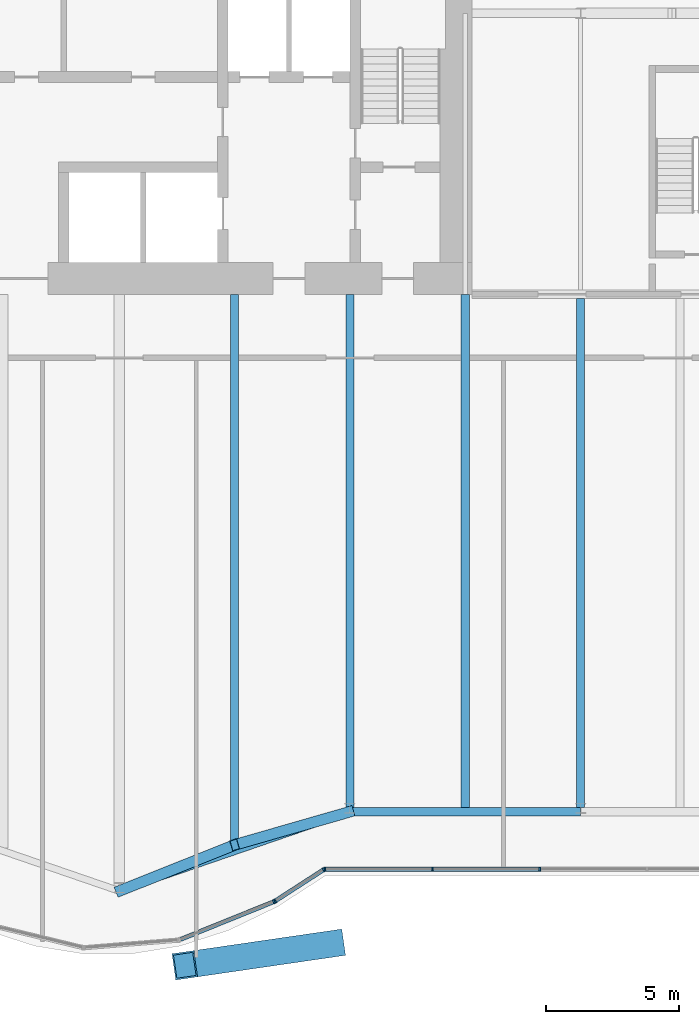
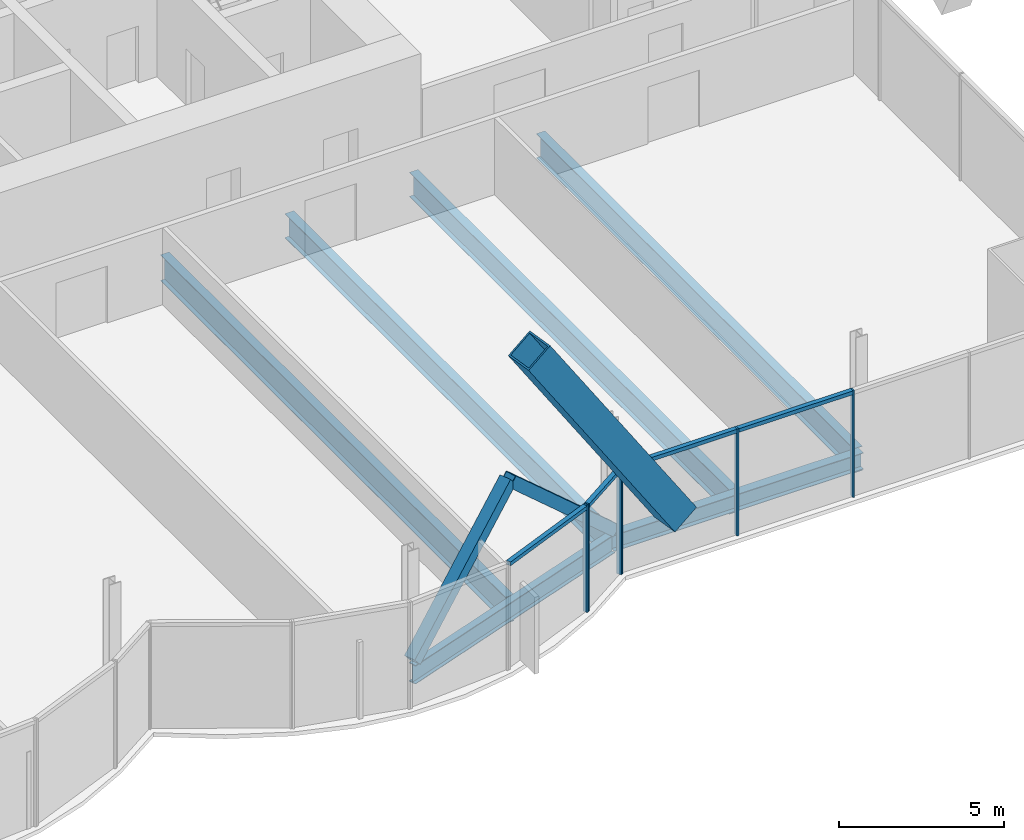
# One storey, part 10 of 24: 13 members, 6 beams, 2 elements without a shape of their own.
"""IFC4 building model written with IfcOpenShell, lengths in metres."""

import ifcopenshell
import ifcopenshell.guid

model = None  # the IFC model being written
_history = None  # IfcOwnerHistory: only IFC2X3 demands one
_inside = {}  # id of a spatial element -> (the spatial element, [elements in it])
_under = {}  # id of a project, library or spatial element -> (it, [spatial elements below it])
_declared = {}  # id of a project -> (the project, [libraries it declares])
_typed = {}  # id of a type object -> (the type object, [elements of that type])
_made_of = {}  # id of a material, layer set ... -> (it, [elements and type objects made of it])


def new_model(schema):
    """Start an empty IFC model of exactly this schema.

    Asked for "IFC4X3", IfcOpenShell would pick the latest addendum, in which some entities
    have other attributes; the version numbers below select the first issue.
    IFC2X3 requires an IfcOwnerHistory on every rooted entity: one is made here for all.
    """
    global model, _history
    if schema == "IFC4X3":
        model = ifcopenshell.file(schema_version=(4, 3, 0, 0))
    else:
        model = ifcopenshell.file(schema=schema)
    _inside.clear()
    _under.clear()
    _declared.clear()
    _typed.clear()
    _made_of.clear()
    _history = None
    if model.schema == "IFC2X3":
        org = make("IfcOrganization", Name="unknown")
        user = make(
            "IfcPersonAndOrganization",
            ThePerson=make("IfcPerson", FamilyName="unknown"),
            TheOrganization=org,
        )
        app = make(
            "IfcApplication",
            ApplicationDeveloper=org,
            Version="unknown",
            ApplicationFullName="unknown",
            ApplicationIdentifier="unknown",
        )
        _history = make(
            "IfcOwnerHistory",
            OwningUser=user,
            OwningApplication=app,
            ChangeAction="ADDED",
            CreationDate=0,
        )
    return model


def make(cls, **values):
    """One entity of the class cls with the attributes given. An attribute that is None is left unset."""
    return model.create_entity(
        cls, **{name: value for name, value in values.items() if value is not None}
    )


def rooted(cls, **values):
    """An entity with a GlobalId (a new one), such as an element, a storey or a relation."""
    return make(cls, GlobalId=ifcopenshell.guid.new(), OwnerHistory=_history, **values)


def si_unit(unit_type, name, prefix=None):
    """IfcSIUnit, for example si_unit("LENGTHUNIT", "METRE", prefix="MILLI")."""
    return make("IfcSIUnit", UnitType=unit_type, Prefix=prefix, Name=name)


def assignment(units):
    """IfcUnitAssignment: the units of a project."""
    return None if units is None else make("IfcUnitAssignment", Units=units)


def point(xyz):
    """IfcCartesianPoint."""
    return None if xyz is None else make("IfcCartesianPoint", Coordinates=xyz)


def direction(xyz):
    """IfcDirection."""
    return None if xyz is None else make("IfcDirection", DirectionRatios=xyz)


def frame(location, z_axis=None, x_axis=None):
    """IfcAxis2Placement3D, a coordinate frame: its origin and axes. An axis left out is left unset."""
    return make(
        "IfcAxis2Placement3D",
        Location=point(location),
        Axis=direction(z_axis),
        RefDirection=direction(x_axis),
    )


def frame_2d(location, x_axis=None):
    """IfcAxis2Placement2D, a coordinate frame in the plane: its origin and x axis."""
    return make(
        "IfcAxis2Placement2D", Location=point(location), RefDirection=direction(x_axis)
    )


def origin():
    """The frame at (0, 0, 0) with its axes left unset."""
    return frame((0.0, 0.0, 0.0))


def origin_2d():
    """The frame at (0, 0) in the plane with its x axis left unset."""
    return frame_2d((0.0, 0.0))


def place(relative_to, where):
    """IfcLocalPlacement: puts the frame where relative to a parent placement (None: the world)."""
    return make(
        "IfcLocalPlacement", PlacementRelTo=relative_to, RelativePlacement=where
    )


def context(
    kind, dimensions, precision=None, world=None, true_north=None, identifier=None
):
    """IfcGeometricRepresentationContext, for example the 3D "Model" context."""
    return make(
        "IfcGeometricRepresentationContext",
        ContextIdentifier=identifier,
        ContextType=kind,
        CoordinateSpaceDimension=dimensions,
        Precision=precision,
        WorldCoordinateSystem=world,
        TrueNorth=true_north,
    )


def subcontext(parent, identifier, kind, view, scale=None):
    """IfcGeometricRepresentationSubContext, for example "Body" below "Model"."""
    return make(
        "IfcGeometricRepresentationSubContext",
        ContextIdentifier=identifier,
        ContextType=kind,
        ParentContext=parent,
        TargetScale=scale,
        TargetView=view,
    )


def project(units=None, contexts=None):
    """IfcProject with its units and contexts."""
    return rooted(
        "IfcProject",
        Name="project",
        RepresentationContexts=contexts,
        UnitsInContext=assignment(units),
    )


def spatial(cls, under=None, at=None, **own):
    """A site, building, storey or space (cls), placed at a placement, below another one or the project."""
    s = rooted(cls, ObjectPlacement=at, **own)
    if under is not None:
        _under.setdefault(under.id(), (under, []))[1].append(s)
    return s


def profile(cls, at=None, kind="AREA", **sizes):
    """A parametric profile (cls). Its sizes go by their IFC names, for example OverallWidth=200.0."""
    return make(cls, ProfileType=kind, Position=at, **sizes)


def rectangle(**sizes):
    """IfcRectangleProfileDef."""
    return profile("IfcRectangleProfileDef", **sizes)


def hollow_rectangle(**sizes):
    """IfcRectangleHollowProfileDef."""
    return profile("IfcRectangleHollowProfileDef", **sizes)


def i_section(**sizes):
    """IfcIShapeProfileDef."""
    return profile("IfcIShapeProfileDef", **sizes)


def extrude(swept, where, along, depth):
    """IfcExtrudedAreaSolid: the profile swept, set in the frame where, extruded along a direction by depth."""
    return make(
        "IfcExtrudedAreaSolid",
        SweptArea=swept,
        Position=where,
        ExtrudedDirection=direction(along),
        Depth=depth,
    )


def shape(context_of_items, identifier, shape_type, items):
    """IfcShapeRepresentation: the items that make up one representation, for example the "Body"."""
    return make(
        "IfcShapeRepresentation",
        ContextOfItems=context_of_items,
        RepresentationIdentifier=identifier,
        RepresentationType=shape_type,
        Items=items,
    )


def material(Name=None, Category=None):
    """IfcMaterial."""
    return make("IfcMaterial", Name=Name, Category=Category)


def material_profile(
    of_material, cross_section, Name=None, Category=None, Priority=None
):
    """IfcMaterialProfile: a cross section and its material."""
    return make(
        "IfcMaterialProfile",
        Name=Name,
        Material=of_material,
        Profile=cross_section,
        Priority=Priority,
        Category=Category,
    )


def profile_set(profiles, Name=None, composite=None):
    """IfcMaterialProfileSet."""
    return make(
        "IfcMaterialProfileSet",
        Name=Name,
        MaterialProfiles=profiles,
        CompositeProfile=composite,
    )


def made_of(thing, what):
    """Note that an element or type object is made of a material, layer set ...; save() writes the relation."""
    if what is not None:
        _made_of.setdefault(what.id(), (what, []))[1].append(thing)
    return thing


def type_object(cls, material=None, **own):
    """A type object (cls), such as IfcWallType, which elements share."""
    return made_of(rooted(cls, **own), material)


def element(
    cls,
    number,
    at=None,
    inside=None,
    cuts=None,
    type_object=None,
    material=None,
    context=None,
    identifier="Body",
    shape_type=None,
    held_by="IfcProductDefinitionShape",
    body=None,
    shapes=None,
    **own,
):
    """One element of the class cls, such as IfcWall. Its Tag is "e" and its number.

    at: its placement. inside: the storey or other place that contains it. cuts: it is an
    opening in that element (IfcRelVoidsElement). A single representation is given by context,
    identifier, shape_type and body (its items); several are given by shapes. held_by: the class
    of the entity that holds the representations. save() writes the other relations.
    """
    e = rooted(cls, Tag="e%d" % number, ObjectPlacement=at, **own)
    if body is not None:
        shapes = [shape(context, identifier, shape_type, body)]
    if shapes is not None:
        e.Representation = make(held_by, Representations=shapes)
    if inside is not None:
        _inside.setdefault(inside.id(), (inside, []))[1].append(e)
    if cuts is not None:
        rooted(
            "IfcRelVoidsElement", RelatingBuildingElement=cuts, RelatedOpeningElement=e
        )
    if type_object is not None:
        _typed.setdefault(type_object.id(), (type_object, []))[1].append(e)
    return made_of(e, material)


def aggregate(whole, parts):
    """IfcRelAggregates: a whole, such as a stair, and the parts it consists of."""
    return rooted("IfcRelAggregates", RelatingObject=whole, RelatedObjects=parts)


def save(model, path):
    """Write the relations noted so far, then the file.

    IfcRelAggregates (storeys below a building ...), IfcRelContainedInSpatialStructure (elements
    in a storey), IfcRelDefinesByType, IfcRelAssociatesMaterial and IfcRelDeclares: one each for
    every whole, place, type object, material and project.
    """
    for whole, parts in _under.values():
        aggregate(whole, parts)
    for where, things in _inside.values():
        rooted(
            "IfcRelContainedInSpatialStructure",
            RelatedElements=things,
            RelatingStructure=where,
        )
    for kind, things in _typed.values():
        rooted("IfcRelDefinesByType", RelatedObjects=things, RelatingType=kind)
    for what, things in _made_of.values():
        rooted("IfcRelAssociatesMaterial", RelatedObjects=things, RelatingMaterial=what)
    for by, libraries in _declared.values():
        rooted("IfcRelDeclares", RelatingContext=by, RelatedDefinitions=libraries)
    model.write(path)


model = new_model("IFC4")

# Units and contexts
model_context = context("Model", 3, precision=1e-05, world=origin(), true_north=direction((0.0, 1.0)))
body_context = subcontext(model_context, "Body", "Model", "MODEL_VIEW")
ifc_project = project(units=[si_unit("LENGTHUNIT", "METRE"), si_unit("AREAUNIT", "SQUARE_METRE"), si_unit("VOLUMEUNIT", "CUBIC_METRE"), si_unit("PLANEANGLEUNIT", "RADIAN"), si_unit("MASSUNIT", "GRAM", prefix="KILO")], contexts=[model_context])

# Site, building, storey
site_placement = place(None, origin())
site = spatial("IfcSite", under=ifc_project, at=site_placement, CompositionType="ELEMENT")
building_placement = place(site_placement, origin())
building = spatial("IfcBuilding", under=site, at=building_placement, Name="Bicima Exchange Tower", CompositionType="ELEMENT")
storey_placement = place(building_placement, frame((0.0, 0.0, 160.89990234375)))
storey = spatial("IfcBuildingStorey", under=building, at=storey_placement, Name="L35", CompositionType="ELEMENT", Elevation=160.89990234375)

# Member
ifc_material_1 = material(Name="Steel ASTM A572 Gr 50", Category="steel")
ifc_material_profile_1 = material_profile(ifc_material_1, hollow_rectangle(XDim=1.0, YDim=1.0, WallThickness=0.06005859375, at=origin_2d()))
ifc_profile_set_1 = profile_set([ifc_material_profile_1], Name="Steel ASTM A572 Gr 50")
member_type_1 = type_object("IfcMemberType", Name="Exo mega brace BOX 1000x1000x60", PredefinedType="BRACE", material=ifc_profile_set_1)
member_1_placement = place(storey_placement, frame((16.75, -37.50732421875, 3.85009765625), z_axis=(-0.551008668038, -0.080112983568, 0.83064514542), x_axis=(0.143880519348, -0.989595066758, 0.0)))
element("IfcMember", 1, at=member_1_placement, inside=storey, type_object=member_type_1, Name="Exo mega brace front", PredefinedType="BRACE", context=body_context, shape_type="SweptSolid", body=[
    extrude(hollow_rectangle(XDim=1.0, YDim=1.0, WallThickness=0.06005859375, at=origin_2d()), origin(), (0.0, 0.0, 1.0), 10.1328125),
])

# Beams
ifc_material_2 = material(Name="Steel ASTM A992 Gr 50", Category="steel")
ifc_material_profile_2 = material_profile(ifc_material_2, i_section(OverallWidth=0.3046875, OverallDepth=0.904296875, WebThickness=0.01513671875, FlangeThickness=0.02001953125, at=origin_2d()))
ifc_profile_set_2 = profile_set([ifc_material_profile_2], Name="Steel ASTM A992 Gr 50")
beam_type_1 = type_object("IfcBeamType", Name="Floor beam W36x135", PredefinedType="JOIST", material=ifc_profile_set_2)
beam_1_placement = place(storey_placement, frame((17.39990234375, -13.0, -0.60205078125), z_axis=(0.0, -1.0, 0.0), x_axis=(1.0, 0.0, 0.0)))
element("IfcBeam", 2, at=beam_1_placement, inside=storey, type_object=beam_type_1, Name="Floor beam", PredefinedType="JOIST", context=body_context, shape_type="SweptSolid", body=[
    extrude(i_section(OverallWidth=0.3046875, OverallDepth=0.904296875, WebThickness=0.01513671875, FlangeThickness=0.02001953125, at=origin_2d()), origin(), (0.0, 0.0, 1.0), 19.388427734375),
])
beam_2_placement = place(storey_placement, frame((21.75, -13.0, -0.60205078125), z_axis=(0.0, -1.0, 0.0), x_axis=(1.0, 0.0, 0.0)))
element("IfcBeam", 3, at=beam_2_placement, inside=storey, type_object=beam_type_1, Name="Floor beam", PredefinedType="JOIST", context=body_context, shape_type="SweptSolid", body=[
    extrude(i_section(OverallWidth=0.3046875, OverallDepth=0.904296875, WebThickness=0.01513671875, FlangeThickness=0.02001953125, at=origin_2d()), origin(), (0.0, 0.0, 1.0), 19.361328125),
])
beam_3_placement = place(storey_placement, frame((26.10009765625, -13.15234375, -0.60205078125), z_axis=(0.0, -1.0, 0.0), x_axis=(1.0, 0.0, 0.0)))
element("IfcBeam", 4, at=beam_3_placement, inside=storey, type_object=beam_type_1, Name="Floor beam", PredefinedType="JOIST", context=body_context, shape_type="SweptSolid", body=[
    extrude(i_section(OverallWidth=0.3046875, OverallDepth=0.904296875, WebThickness=0.01513671875, FlangeThickness=0.02001953125, at=origin_2d()), origin(), (0.0, 0.0, 1.0), 19.208984375),
])
ifc_material_profile_3 = material_profile(ifc_material_2, i_section(OverallWidth=0.2998046875, OverallDepth=0.97021484375, WebThickness=0.01611328125, FlangeThickness=0.02099609375, at=origin_2d()))
ifc_profile_set_3 = profile_set([ifc_material_profile_3], Name="Steel ASTM A992 Gr 50")
beam_type_2 = type_object("IfcBeamType", Name="Floor beam W40x149", PredefinedType="JOIST", material=ifc_profile_set_3)
beam_4_placement = place(storey_placement, frame((13.050048828125, -13.0, -0.635009765625), z_axis=(0.0, -1.0, 0.0), x_axis=(1.0, 0.0, 0.0)))
element("IfcBeam", 5, at=beam_4_placement, inside=storey, type_object=beam_type_2, Name="Floor beam", PredefinedType="JOIST", context=body_context, shape_type="SweptSolid", body=[
    extrude(i_section(OverallWidth=0.2998046875, OverallDepth=0.97021484375, WebThickness=0.01611328125, FlangeThickness=0.02099609375, at=origin_2d()), origin(), (0.0, 0.0, 1.0), 20.8837890625),
])
ifc_material_profile_4 = material_profile(ifc_material_2, i_section(OverallWidth=0.3251953125, OverallDepth=0.612060546875, WebThickness=0.0126953125, FlangeThickness=0.01904296875, at=origin_2d()))
ifc_profile_set_4 = profile_set([ifc_material_profile_4], Name="Steel ASTM A992 Gr 50")
beam_type_3 = type_object("IfcBeamType", Name="Front girder W24x104", PredefinedType="BEAM", material=ifc_profile_set_4)
beam_5_placement = place(storey_placement, frame((17.39990234375, -32.52392578125, -0.4560546875), z_axis=(1.0, 0.0, 0.0), x_axis=(0.0, 1.0, 0.0)))
element("IfcBeam", 6, at=beam_5_placement, inside=storey, type_object=beam_type_3, Name="Front girder", PredefinedType="BEAM", context=body_context, shape_type="SweptSolid", body=[
    extrude(i_section(OverallWidth=0.3251953125, OverallDepth=0.612060546875, WebThickness=0.0126953125, FlangeThickness=0.01904296875, at=origin_2d()), origin(), (0.0, 0.0, 1.0), 8.7001953125),
])
ifc_material_profile_5 = material_profile(ifc_material_2, i_section(OverallWidth=0.256591796875, OverallDepth=0.693359375, WebThickness=0.014404296875, FlangeThickness=0.023681640625, at=origin_2d()))
ifc_profile_set_5 = profile_set([ifc_material_profile_5], Name="Steel ASTM A992 Gr 50")
beam_type_4 = type_object("IfcBeamType", Name="Front girder W27x114", PredefinedType="BEAM", material=ifc_profile_set_5)
beam_6_placement = place(storey_placement, frame((8.699951171875, -35.51513671875, -0.49658203125), z_axis=(0.945666456746, 0.325138359143, 0.0), x_axis=(-0.325138359143, 0.945666456746, 0.0)))
element("IfcBeam", 7, at=beam_6_placement, inside=storey, type_object=beam_type_4, Name="Front girder", PredefinedType="BEAM", context=body_context, shape_type="SweptSolid", body=[
    extrude(i_section(OverallWidth=0.256591796875, OverallDepth=0.693359375, WebThickness=0.014404296875, FlangeThickness=0.023681640625, at=origin_2d()), origin(), (0.0, 0.0, 1.0), 9.19970703125),
])

# Curtain wall, members
ifc_material_3 = material(Name="Anodised bronze aluminium", Category="aluminium")
curtain_wall_type = type_object("IfcCurtainWallType", Name="Front glass wall", PredefinedType="NOTDEFINED", material=ifc_material_3)
curtain_wall_1_placement = place(storey_placement, origin())
curtain_wall_1 = element("IfcCurtainWall", 8, at=curtain_wall_1_placement, inside=storey, type_object=curtain_wall_type, Name="Front glass wall L35 run 11", PredefinedType="NOTDEFINED")
ifc_material_profile_6 = material_profile(ifc_material_3, rectangle(XDim=0.159912109375, YDim=0.06005859375, at=origin_2d()))
ifc_profile_set_6 = profile_set([ifc_material_profile_6], Name="Anodised bronze aluminium")
member_type_2 = type_object("IfcMemberType", Name="Front glass wall mullion 60 x 160", PredefinedType="MULLION", material=ifc_profile_set_6)
member_2_placement = place(storey_placement, frame((14.52587890625, -35.919677734375, 0.0), z_axis=(0.0, 0.0, 1.0), x_axis=(-0.374705304, 0.92714396679, 0.0)))
member_2 = element("IfcMember", 9, at=member_2_placement, type_object=member_type_2, Name="Front glass wall mullion 2", PredefinedType="MULLION", context=body_context, shape_type="SweptSolid", body=[
    extrude(rectangle(XDim=0.159912109375, YDim=0.06005859375, at=origin_2d()), origin(), (0.0, 0.0, 1.0), 3.9501953125),
])
member_3_placement = place(storey_placement, frame((14.578857421875, -35.89208984375, 0.0), z_axis=(0.0, 0.0, 1.0), x_axis=(-0.542909183079, 0.839791413941, 0.0)))
member_3 = element("IfcMember", 10, at=member_3_placement, type_object=member_type_2, Name="Front glass wall mullion 1", PredefinedType="MULLION", context=body_context, shape_type="SweptSolid", body=[
    extrude(rectangle(XDim=0.159912109375, YDim=0.06005859375, at=origin_2d()), origin(), (0.0, 0.0, 1.0), 3.9501953125),
])
member_4_placement = place(storey_placement, frame((16.406982421875, -34.710205078125, 0.0), z_axis=(0.0, 0.0, 1.0), x_axis=(-0.542909183079, 0.839791413941, 0.0)))
member_4 = element("IfcMember", 11, at=member_4_placement, type_object=member_type_2, Name="Front glass wall mullion 2", PredefinedType="MULLION", context=body_context, shape_type="SweptSolid", body=[
    extrude(rectangle(XDim=0.159912109375, YDim=0.06005859375, at=origin_2d()), origin(), (0.0, 0.0, 1.0), 3.9501953125),
])

curtain_wall_2_placement = place(storey_placement, origin())
curtain_wall_2 = element("IfcCurtainWall", 12, at=curtain_wall_2_placement, inside=storey, type_object=curtain_wall_type, Name="Front glass wall L35 run 16", PredefinedType="NOTDEFINED")
member_5_placement = place(storey_placement, frame((16.462158203125, -34.694091796875, 0.0), z_axis=(0.0, 0.0, 1.0), x_axis=(0.0, 1.0, 0.0)))
member_5 = element("IfcMember", 13, at=member_5_placement, type_object=member_type_2, Name="Front glass wall mullion 1", PredefinedType="MULLION", context=body_context, shape_type="SweptSolid", body=[
    extrude(rectangle(XDim=0.159912109375, YDim=0.06005859375, at=origin_2d()), origin(), (0.0, 0.0, 1.0), 3.9501953125),
])
member_6_placement = place(storey_placement, frame((20.51171875, -34.694091796875, 0.0), z_axis=(0.0, 0.0, 1.0), x_axis=(0.0, 1.0, 0.0)))
member_6 = element("IfcMember", 14, at=member_6_placement, type_object=member_type_2, Name="Front glass wall mullion 2", PredefinedType="MULLION", context=body_context, shape_type="SweptSolid", body=[
    extrude(rectangle(XDim=0.159912109375, YDim=0.06005859375, at=origin_2d()), origin(), (0.0, 0.0, 1.0), 3.9501953125),
])
member_7_placement = place(storey_placement, frame((24.56103515625, -34.694091796875, 0.0), z_axis=(0.0, 0.0, 1.0), x_axis=(0.0, 1.0, 0.0)))
member_7 = element("IfcMember", 15, at=member_7_placement, type_object=member_type_2, Name="Front glass wall mullion 3", PredefinedType="MULLION", context=body_context, shape_type="SweptSolid", body=[
    extrude(rectangle(XDim=0.159912109375, YDim=0.06005859375, at=origin_2d()), origin(), (0.0, 0.0, 1.0), 3.9501953125),
])

# Member
ifc_material_profile_7 = material_profile(ifc_material_3, rectangle(XDim=0.159912109375, YDim=0.139892578125, at=origin_2d()))
ifc_profile_set_7 = profile_set([ifc_material_profile_7], Name="Anodised bronze aluminium")
member_type_3 = type_object("IfcMemberType", Name="Front glass wall transom 140 x 160", PredefinedType="USERDEFINED", material=ifc_profile_set_7)
member_8_placement = place(storey_placement, frame((11.001708984375, -37.343994140625, 3.880126953125), z_axis=(0.927140215882, 0.374714584842, 0.0), x_axis=(-0.374714584842, 0.927140215882, 0.0)))
member_8 = element("IfcMember", 16, at=member_8_placement, type_object=member_type_3, Name="Front glass wall transom 1.1", ObjectType="TRANSOM", PredefinedType="USERDEFINED", context=body_context, shape_type="SweptSolid", body=[
    extrude(rectangle(XDim=0.159912109375, YDim=0.139892578125, at=origin_2d()), origin(), (0.0, 0.0, 1.0), 3.77099609375),
])

member_9_placement = place(storey_placement, frame((14.60400390625, -35.875732421875, 3.880126953125), z_axis=(0.839792890287, 0.542906899407, 0.0), x_axis=(-0.542906899407, 0.839792890287, 0.0)))
member_9 = element("IfcMember", 17, at=member_9_placement, type_object=member_type_3, Name="Front glass wall transom 1.1", ObjectType="TRANSOM", PredefinedType="USERDEFINED", context=body_context, shape_type="SweptSolid", body=[
    extrude(rectangle(XDim=0.159912109375, YDim=0.139892578125, at=origin_2d()), origin(), (0.0, 0.0, 1.0), 2.11669921875),
])

aggregate(curtain_wall_1, [member_2, member_8, member_3, member_4, member_9])

member_10_placement = place(storey_placement, frame((16.4921875, -34.694091796875, 3.880126953125), z_axis=(1.0, 0.0, 0.0), x_axis=(0.0, 1.0, 0.0)))
member_10 = element("IfcMember", 18, at=member_10_placement, type_object=member_type_3, Name="Front glass wall transom 1.1", ObjectType="TRANSOM", PredefinedType="USERDEFINED", context=body_context, shape_type="SweptSolid", body=[
    extrude(rectangle(XDim=0.159912109375, YDim=0.139892578125, at=origin_2d()), origin(), (0.0, 0.0, 1.0), 3.989501953125),
])

member_11_placement = place(storey_placement, frame((20.54150390625, -34.694091796875, 3.880126953125), z_axis=(1.0, 0.0, 0.0), x_axis=(0.0, 1.0, 0.0)))
member_11 = element("IfcMember", 19, at=member_11_placement, type_object=member_type_3, Name="Front glass wall transom 2.1", ObjectType="TRANSOM", PredefinedType="USERDEFINED", context=body_context, shape_type="SweptSolid", body=[
    extrude(rectangle(XDim=0.159912109375, YDim=0.139892578125, at=origin_2d()), origin(), (0.0, 0.0, 1.0), 3.989501953125),
])

aggregate(curtain_wall_2, [member_5, member_6, member_7, member_10, member_11])

# Members
ifc_material_profile_8 = material_profile(ifc_material_1, hollow_rectangle(XDim=0.406494140625, YDim=0.406494140625, WallThickness=0.017822265625, at=origin_2d()))
ifc_profile_set_8 = profile_set([ifc_material_profile_8], Name="Steel ASTM A572 Gr 50")
member_type_4 = type_object("IfcMemberType", Name="Mega brace HSS16x16x3/4", PredefinedType="BRACE", material=ifc_profile_set_8)
member_12_placement = place(storey_placement, frame((8.699951171875, -35.51513671875, 0.0), z_axis=(0.698718538106, 0.279440358208, 0.65856320176), x_axis=(-0.3713367687, 0.928498252132, 0.0)))
element("IfcMember", 20, at=member_12_placement, inside=storey, type_object=member_type_4, Name="Mega brace front", PredefinedType="BRACE", context=body_context, shape_type="SweptSolid", body=[
    extrude(hollow_rectangle(XDim=0.406494140625, YDim=0.406494140625, WallThickness=0.017822265625, at=origin_2d()), origin(), (0.0, 0.0, 1.0), 6.225830078125),
])
member_13_placement = place(storey_placement, frame((17.39990234375, -32.52392578125, 0.0), z_axis=(-0.71224719859, -0.204915481842, 0.671352048781), x_axis=(0.27648739579, -0.961017544049, 0.0)))
element("IfcMember", 21, at=member_13_placement, inside=storey, type_object=member_type_4, Name="Mega brace front", PredefinedType="BRACE", context=body_context, shape_type="SweptSolid", body=[
    extrude(hollow_rectangle(XDim=0.406494140625, YDim=0.406494140625, WallThickness=0.017822265625, at=origin_2d()), origin(), (0.0, 0.0, 1.0), 6.107177734375),
])

save(model, "model.ifc")
